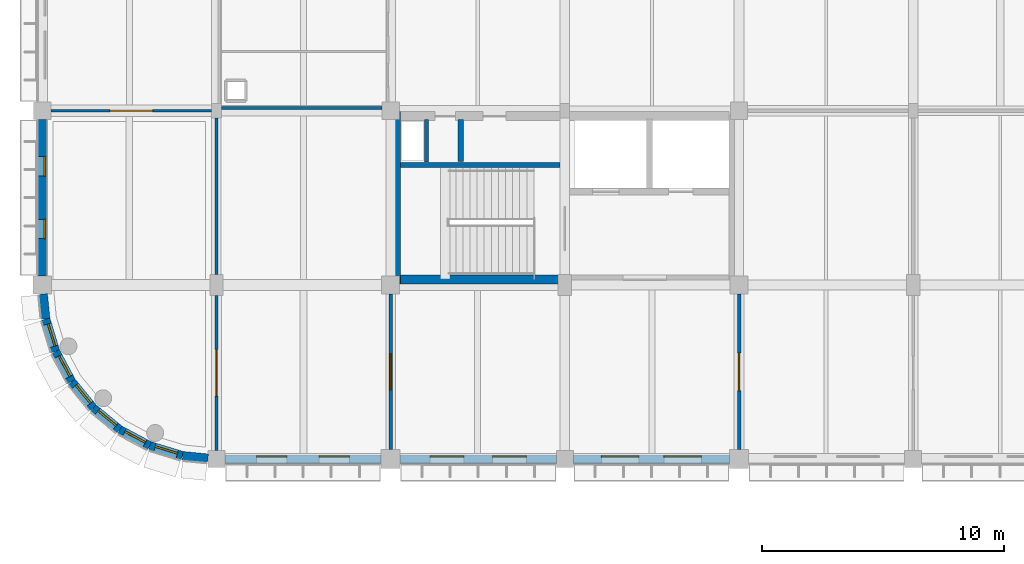
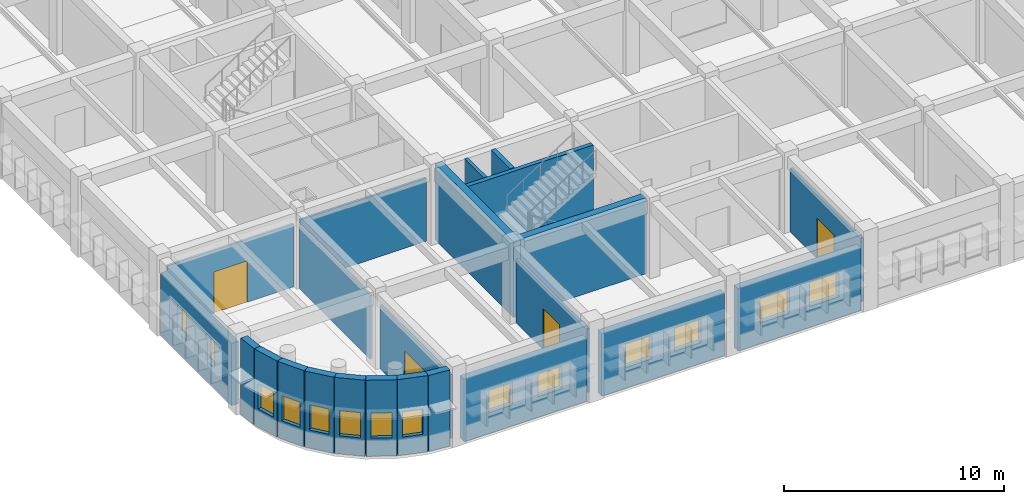
# One storey, part 34 of 61: 23 walls, 14 windows, 4 doors, 18 openings.
"""IFC4 building model written with IfcOpenShell, lengths in metres."""

from ifc_helpers import new_model, si_unit, direction, frame, frame_2d, origin, place, context, subcontext, project, spatial, rectangle, extrude, material, layer, layer_set, type_object, element, fill, save


model = new_model("IFC4")

# Units and contexts
model_context = context("Model", 3, precision=1e-05, world=origin(), true_north=direction((0.0, 1.0)))
body_context = subcontext(model_context, "Body", "Model", "MODEL_VIEW")
ifc_project = project(units=[si_unit("LENGTHUNIT", "METRE"), si_unit("AREAUNIT", "SQUARE_METRE"), si_unit("VOLUMEUNIT", "CUBIC_METRE"), si_unit("PLANEANGLEUNIT", "RADIAN"), si_unit("MASSUNIT", "GRAM", prefix="KILO")], contexts=[model_context])

# Site, building, storey
site_placement = place(None, origin())
site = spatial("IfcSite", under=ifc_project, at=site_placement, CompositionType="ELEMENT")
building_placement = place(site_placement, origin())
building = spatial("IfcBuilding", under=site, at=building_placement, Name="Thalmaran Polytechnic", CompositionType="ELEMENT")
storey_placement = place(building_placement, frame((0.0, 0.0, 9.89990234375)))
storey = spatial("IfcBuildingStorey", under=building, at=storey_placement, Name="L02", CompositionType="ELEMENT", Elevation=9.89990234375)

# Wall
ifc_material_1 = material(Name="Precast concrete C40/50", Category="concrete")
ifc_layer_1 = layer(ifc_material_1, 0.360107421875, Name="Precast concrete C40/50")
ifc_layer_set_1 = layer_set([ifc_layer_1], Name="Precast concrete C40/50")
wall_type_1 = type_object("IfcWallType", Name="WL-EW01", PredefinedType="STANDARD", material=ifc_layer_set_1)
wall_1_placement = place(storey_placement, frame((0.138427734375, 5.79541015625, 0.0), z_axis=(0.0, 0.0, 1.0), x_axis=(-0.097987704654, 0.995187625394, 0.0)))
element("IfcWall", 1, at=wall_1_placement, inside=storey, type_object=wall_type_1, Name="Exterior Precast Facade Wall L02-001", PredefinedType="STANDARD", context=body_context, shape_type="SweptSolid", body=[
    extrude(rectangle(XDim=1.036376953125, YDim=0.360107421875, at=frame_2d((0.51806640625, 0.0))), origin(), (0.0, 0.0, 1.0), 4.22509765625),
])

# Wall, openings, windows
wall_2_placement = place(storey_placement, frame((0.0, 7.574951171875, 0.0), z_axis=(0.0, 0.0, 1.0), x_axis=(0.0, 1.0, 0.0)))
wall_2 = element("IfcWall", 2, at=wall_2_placement, inside=storey, type_object=wall_type_1, Name="Exterior Precast Facade Wall L02-002", PredefinedType="STANDARD", context=body_context, shape_type="SweptSolid", body=[
    extrude(rectangle(XDim=6.465087890625, YDim=0.360107421875, at=frame_2d((3.232421875, 0.0))), origin(), (0.0, 0.0, 1.0), 3.47021484375),
])
opening_1_placement = place(wall_2_placement, frame((1.53955078125, 0.0, 1.14990234375)))
opening_1 = element("IfcOpeningElement", 3, at=opening_1_placement, cuts=wall_2, Name="Opening PW16", PredefinedType="OPENING", context=body_context, shape_type="SweptSolid", body=[
    extrude(rectangle(XDim=0.800048828125, YDim=1.5, at=frame_2d((0.39990234375, 0.75))), frame((0.0, 0.18994140625, 0.0), z_axis=(0.0, -1.0, 0.0), x_axis=(1.0, 0.0, 0.0)), (0.0, 0.0, 1.0), 0.380126953125),
])
opening_2_placement = place(wall_2_placement, frame((4.12548828125, 0.0, 1.14990234375)))
opening_2 = element("IfcOpeningElement", 4, at=opening_2_placement, cuts=wall_2, Name="Opening PW16", PredefinedType="OPENING", context=body_context, shape_type="SweptSolid", body=[
    extrude(rectangle(XDim=0.800048828125, YDim=1.5, at=frame_2d((0.39990234375, 0.75))), frame((0.0, 0.18994140625, 0.0), z_axis=(0.0, -1.0, 0.0), x_axis=(1.0, 0.0, 0.0)), (0.0, 0.0, 1.0), 0.380126953125),
])
ifc_material_2 = material(Name="Thermally broken aluminium and double low-E glass", Category="aluminium")
window_type_1 = type_object("IfcWindowType", Name="WN-PW06", PartitioningType="SINGLE_PANEL", PredefinedType="WINDOW", material=ifc_material_2)
window_1_placement = place(opening_1_placement, origin())
window_1 = element("IfcWindow", 5, at=window_1_placement, inside=storey, type_object=window_type_1, Name="Deep-Set Solar-Screened Window W-0187", OverallHeight=1.5, OverallWidth=0.800048828125, PartitioningType="SINGLE_PANEL", PredefinedType="WINDOW", context=body_context, shape_type="SweptSolid", body=[
    extrude(rectangle(XDim=0.800048828125, YDim=1.5, at=frame_2d((0.39990234375, 0.75))), frame((0.0, -0.080078125, 0.0), z_axis=(0.0, -1.0, 0.0), x_axis=(1.0, 0.0, 0.0)), (0.0, 0.0, 1.0), 0.06005859375),
])
fill(opening_1, window_1)
window_2_placement = place(opening_2_placement, origin())
window_2 = element("IfcWindow", 6, at=window_2_placement, inside=storey, type_object=window_type_1, Name="Deep-Set Solar-Screened Window W-0188", OverallHeight=1.5, OverallWidth=0.800048828125, PartitioningType="SINGLE_PANEL", PredefinedType="WINDOW", context=body_context, shape_type="SweptSolid", body=[
    extrude(rectangle(XDim=0.800048828125, YDim=1.5, at=frame_2d((0.39990234375, 0.75))), frame((0.0, -0.080078125, 0.0), z_axis=(0.0, -1.0, 0.0), x_axis=(1.0, 0.0, 0.0)), (0.0, 0.0, 1.0), 0.06005859375),
])
fill(opening_2, window_2)

wall_3_placement = place(storey_placement, frame((28.409912109375, 0.0, 0.0), z_axis=(0.0, 0.0, 1.0), x_axis=(-1.0, 0.0, 0.0)))
wall_3 = element("IfcWall", 7, at=wall_3_placement, inside=storey, type_object=wall_type_1, Name="Exterior Precast Facade Wall L02-089", PredefinedType="STANDARD", context=body_context, shape_type="SweptSolid", body=[
    extrude(rectangle(XDim=6.4599609375, YDim=0.360107421875, at=frame_2d((3.22998046875, 0.0))), origin(), (0.0, 0.0, 1.0), 3.47021484375),
])
opening_3_placement = place(wall_3_placement, frame((1.1630859375, 0.0, 1.14990234375)))
opening_3 = element("IfcOpeningElement", 8, at=opening_3_placement, cuts=wall_3, Name="Opening VW09", PredefinedType="OPENING", context=body_context, shape_type="SweptSolid", body=[
    extrude(rectangle(XDim=1.550048828125, YDim=1.35009765625, at=frame_2d((0.77490234375, 0.675048828125))), frame((0.0, 0.18994140625, 0.0), z_axis=(0.0, -1.0, 0.0), x_axis=(1.0, 0.0, 0.0)), (0.0, 0.0, 1.0), 0.380126953125),
])
opening_4_placement = place(wall_3_placement, frame((3.7470703125, 0.0, 1.14990234375)))
opening_4 = element("IfcOpeningElement", 9, at=opening_4_placement, cuts=wall_3, Name="Opening VW09", PredefinedType="OPENING", context=body_context, shape_type="SweptSolid", body=[
    extrude(rectangle(XDim=1.550048828125, YDim=1.35009765625, at=frame_2d((0.77490234375, 0.675048828125))), frame((0.0, 0.18994140625, 0.0), z_axis=(0.0, -1.0, 0.0), x_axis=(1.0, 0.0, 0.0)), (0.0, 0.0, 1.0), 0.380126953125),
])
window_type_2 = type_object("IfcWindowType", Name="WN-VZ09", PartitioningType="SINGLE_PANEL", PredefinedType="WINDOW", material=ifc_material_2)
window_3_placement = place(opening_3_placement, origin())
window_3 = element("IfcWindow", 10, at=window_3_placement, inside=storey, type_object=window_type_2, Name="Deep-Set Solar-Screened Window W-0286", OverallHeight=1.35009765625, OverallWidth=1.550048828125, PartitioningType="SINGLE_PANEL", PredefinedType="WINDOW", context=body_context, shape_type="SweptSolid", body=[
    extrude(rectangle(XDim=1.550048828125, YDim=1.35009765625, at=frame_2d((0.77490234375, 0.675048828125))), frame((0.0, -0.080078125, 0.0), z_axis=(0.0, -1.0, 0.0), x_axis=(1.0, 0.0, 0.0)), (0.0, 0.0, 1.0), 0.06005859375),
])
fill(opening_3, window_3)
window_4_placement = place(opening_4_placement, origin())
window_4 = element("IfcWindow", 11, at=window_4_placement, inside=storey, type_object=window_type_2, Name="Deep-Set Solar-Screened Window W-0287", OverallHeight=1.35009765625, OverallWidth=1.550048828125, PartitioningType="SINGLE_PANEL", PredefinedType="WINDOW", context=body_context, shape_type="SweptSolid", body=[
    extrude(rectangle(XDim=1.550048828125, YDim=1.35009765625, at=frame_2d((0.77490234375, 0.675048828125))), frame((0.0, -0.080078125, 0.0), z_axis=(0.0, -1.0, 0.0), x_axis=(1.0, 0.0, 0.0)), (0.0, 0.0, 1.0), 0.06005859375),
])
fill(opening_4, window_4)

wall_4_placement = place(storey_placement, frame((21.25, 0.0, 0.0), z_axis=(0.0, 0.0, 1.0), x_axis=(-1.0, 0.0, 0.0)))
wall_4 = element("IfcWall", 12, at=wall_4_placement, inside=storey, type_object=wall_type_1, Name="Exterior Precast Facade Wall L02-090", PredefinedType="STANDARD", context=body_context, shape_type="SweptSolid", body=[
    extrude(rectangle(XDim=6.4599609375, YDim=0.360107421875, at=frame_2d((3.22998046875, 0.0))), origin(), (0.0, 0.0, 1.0), 3.47021484375),
])
opening_5_placement = place(wall_4_placement, frame((1.238037109375, 0.0, 1.14990234375)))
opening_5 = element("IfcOpeningElement", 13, at=opening_5_placement, cuts=wall_4, Name="Opening VW10", PredefinedType="OPENING", context=body_context, shape_type="SweptSolid", body=[
    extrude(rectangle(XDim=1.39990234375, YDim=1.300048828125, at=frame_2d((0.699951171875, 0.64990234375))), frame((0.0, 0.18994140625, 0.0), z_axis=(0.0, -1.0, 0.0), x_axis=(1.0, 0.0, 0.0)), (0.0, 0.0, 1.0), 0.380126953125),
])
opening_6_placement = place(wall_4_placement, frame((3.822021484375, 0.0, 1.14990234375)))
opening_6 = element("IfcOpeningElement", 14, at=opening_6_placement, cuts=wall_4, Name="Opening VW10", PredefinedType="OPENING", context=body_context, shape_type="SweptSolid", body=[
    extrude(rectangle(XDim=1.39990234375, YDim=1.300048828125, at=frame_2d((0.699951171875, 0.64990234375))), frame((0.0, 0.18994140625, 0.0), z_axis=(0.0, -1.0, 0.0), x_axis=(1.0, 0.0, 0.0)), (0.0, 0.0, 1.0), 0.380126953125),
])
window_type_3 = type_object("IfcWindowType", Name="WN-VZ10", PartitioningType="SINGLE_PANEL", PredefinedType="WINDOW", material=ifc_material_2)
window_5_placement = place(opening_5_placement, origin())
window_5 = element("IfcWindow", 15, at=window_5_placement, inside=storey, type_object=window_type_3, Name="Deep-Set Solar-Screened Window W-0288", OverallHeight=1.300048828125, OverallWidth=1.39990234375, PartitioningType="SINGLE_PANEL", PredefinedType="WINDOW", context=body_context, shape_type="SweptSolid", body=[
    extrude(rectangle(XDim=1.39990234375, YDim=1.300048828125, at=frame_2d((0.699951171875, 0.64990234375))), frame((0.0, -0.080078125, 0.0), z_axis=(0.0, -1.0, 0.0), x_axis=(1.0, 0.0, 0.0)), (0.0, 0.0, 1.0), 0.06005859375),
])
fill(opening_5, window_5)
window_6_placement = place(opening_6_placement, origin())
window_6 = element("IfcWindow", 16, at=window_6_placement, inside=storey, type_object=window_type_3, Name="Deep-Set Solar-Screened Window W-0289", OverallHeight=1.300048828125, OverallWidth=1.39990234375, PartitioningType="SINGLE_PANEL", PredefinedType="WINDOW", context=body_context, shape_type="SweptSolid", body=[
    extrude(rectangle(XDim=1.39990234375, YDim=1.300048828125, at=frame_2d((0.699951171875, 0.64990234375))), frame((0.0, -0.080078125, 0.0), z_axis=(0.0, -1.0, 0.0), x_axis=(1.0, 0.0, 0.0)), (0.0, 0.0, 1.0), 0.06005859375),
])
fill(opening_6, window_6)

wall_5_placement = place(storey_placement, frame((14.010009765625, 0.0, 0.0), z_axis=(0.0, 0.0, 1.0), x_axis=(-1.0, 0.0, 0.0)))
wall_5 = element("IfcWall", 17, at=wall_5_placement, inside=storey, type_object=wall_type_1, Name="Exterior Precast Facade Wall L02-091", PredefinedType="STANDARD", context=body_context, shape_type="SweptSolid", body=[
    extrude(rectangle(XDim=6.4599609375, YDim=0.360107421875, at=frame_2d((3.22998046875, 0.0))), origin(), (0.0, 0.0, 1.0), 3.47021484375),
])
opening_7_placement = place(wall_5_placement, frame((1.31298828125, 0.0, 1.14990234375)))
opening_7 = element("IfcOpeningElement", 18, at=opening_7_placement, cuts=wall_5, Name="Opening VW11", PredefinedType="OPENING", context=body_context, shape_type="SweptSolid", body=[
    extrude(rectangle(XDim=1.25, YDim=1.25, at=frame_2d((0.625, 0.625))), frame((0.0, 0.18994140625, 0.0), z_axis=(0.0, -1.0, 0.0), x_axis=(1.0, 0.0, 0.0)), (0.0, 0.0, 1.0), 0.380126953125),
])
opening_8_placement = place(wall_5_placement, frame((3.89697265625, 0.0, 1.14990234375)))
opening_8 = element("IfcOpeningElement", 19, at=opening_8_placement, cuts=wall_5, Name="Opening VW11", PredefinedType="OPENING", context=body_context, shape_type="SweptSolid", body=[
    extrude(rectangle(XDim=1.25, YDim=1.25, at=frame_2d((0.625, 0.625))), frame((0.0, 0.18994140625, 0.0), z_axis=(0.0, -1.0, 0.0), x_axis=(1.0, 0.0, 0.0)), (0.0, 0.0, 1.0), 0.380126953125),
])
window_type_4 = type_object("IfcWindowType", Name="WN-VZ11", PartitioningType="SINGLE_PANEL", PredefinedType="WINDOW", material=ifc_material_2)
window_7_placement = place(opening_7_placement, origin())
window_7 = element("IfcWindow", 20, at=window_7_placement, inside=storey, type_object=window_type_4, Name="Deep-Set Solar-Screened Window W-0290", OverallHeight=1.25, OverallWidth=1.25, PartitioningType="SINGLE_PANEL", PredefinedType="WINDOW", context=body_context, shape_type="SweptSolid", body=[
    extrude(rectangle(XDim=1.25, YDim=1.25, at=frame_2d((0.625, 0.625))), frame((0.0, -0.080078125, 0.0), z_axis=(0.0, -1.0, 0.0), x_axis=(1.0, 0.0, 0.0)), (0.0, 0.0, 1.0), 0.06005859375),
])
fill(opening_7, window_7)
window_8_placement = place(opening_8_placement, origin())
window_8 = element("IfcWindow", 21, at=window_8_placement, inside=storey, type_object=window_type_4, Name="Deep-Set Solar-Screened Window W-0291", OverallHeight=1.25, OverallWidth=1.25, PartitioningType="SINGLE_PANEL", PredefinedType="WINDOW", context=body_context, shape_type="SweptSolid", body=[
    extrude(rectangle(XDim=1.25, YDim=1.25, at=frame_2d((0.625, 0.625))), frame((0.0, -0.080078125, 0.0), z_axis=(0.0, -1.0, 0.0), x_axis=(1.0, 0.0, 0.0)), (0.0, 0.0, 1.0), 0.06005859375),
])
fill(opening_8, window_8)

# Wall
wall_6_placement = place(storey_placement, frame((6.851806640625, 0.034423828125, 0.0), z_axis=(0.0, 0.0, 1.0), x_axis=(-0.995188591484, 0.097977892298, 0.0)))
element("IfcWall", 22, at=wall_6_placement, inside=storey, type_object=wall_type_1, Name="Exterior Precast Facade Wall L02-092", PredefinedType="STANDARD", context=body_context, shape_type="SweptSolid", body=[
    extrude(rectangle(XDim=1.0615234375, YDim=0.360107421875, at=frame_2d((0.53076171875, 0.0))), origin(), (0.0, 0.0, 1.0), 4.22509765625),
])

# Wall, opening, window
wall_7_placement = place(storey_placement, frame((5.79541015625, 0.138427734375, 0.0), z_axis=(0.0, 0.0, 1.0), x_axis=(-0.95696037757, 0.290218599957, 0.0)))
wall_7 = element("IfcWall", 23, at=wall_7_placement, inside=storey, type_object=wall_type_1, Name="Exterior Precast Facade Wall L02-093", PredefinedType="STANDARD", context=body_context, shape_type="SweptSolid", body=[
    extrude(rectangle(XDim=1.41162109375, YDim=0.360107421875, at=frame_2d((0.705810546875, 0.0))), origin(), (0.0, 0.0, 1.0), 4.22509765625),
])
opening_9_placement = place(wall_7_placement, frame((0.2255859375, 0.0, 1.0)))
opening_9 = element("IfcOpeningElement", 24, at=opening_9_placement, cuts=wall_7, Name="Opening CR01", PredefinedType="OPENING", context=body_context, shape_type="SweptSolid", body=[
    extrude(rectangle(XDim=0.9599609375, YDim=1.39990234375, at=frame_2d((0.47998046875, 0.699951171875))), frame((0.0, 0.18994140625, 0.0), z_axis=(0.0, -1.0, 0.0), x_axis=(1.0, 0.0, 0.0)), (0.0, 0.0, 1.0), 0.380126953125),
])
window_type_5 = type_object("IfcWindowType", Name="WN-CR01", PartitioningType="SINGLE_PANEL", PredefinedType="WINDOW", material=ifc_material_2)
window_9_placement = place(opening_9_placement, origin())
window_9 = element("IfcWindow", 25, at=window_9_placement, inside=storey, type_object=window_type_5, Name="Curved Prow Ribbon Window W-0292", OverallHeight=1.39990234375, OverallWidth=0.9599609375, PartitioningType="SINGLE_PANEL", PredefinedType="WINDOW", context=body_context, shape_type="SweptSolid", body=[
    extrude(rectangle(XDim=0.9599609375, YDim=1.39990234375, at=frame_2d((0.47998046875, 0.699951171875))), frame((0.0, -0.010009765625, 0.0), z_axis=(0.0, -1.0, 0.0), x_axis=(1.0, 0.0, 0.0)), (0.0, 0.0, 1.0), 0.06005859375),
])
fill(opening_9, window_9)

wall_8_placement = place(storey_placement, frame((4.444580078125, 0.548095703125, 0.0), z_axis=(0.0, 0.0, 1.0), x_axis=(-0.881916788861, 0.471405109778, 0.0)))
wall_8 = element("IfcWall", 26, at=wall_8_placement, inside=storey, type_object=wall_type_1, Name="Exterior Precast Facade Wall L02-094", PredefinedType="STANDARD", context=body_context, shape_type="SweptSolid", body=[
    extrude(rectangle(XDim=1.411376953125, YDim=0.360107421875, at=frame_2d((0.70556640625, 0.0))), origin(), (0.0, 0.0, 1.0), 4.22509765625),
])
opening_10_placement = place(wall_8_placement, frame((0.2255859375, 0.0, 1.0)))
opening_10 = element("IfcOpeningElement", 27, at=opening_10_placement, cuts=wall_8, Name="Opening CR01", PredefinedType="OPENING", context=body_context, shape_type="SweptSolid", body=[
    extrude(rectangle(XDim=0.9599609375, YDim=1.39990234375, at=frame_2d((0.47998046875, 0.699951171875))), frame((0.0, 0.18994140625, 0.0), z_axis=(0.0, -1.0, 0.0), x_axis=(1.0, 0.0, 0.0)), (0.0, 0.0, 1.0), 0.380126953125),
])
window_10_placement = place(opening_10_placement, origin())
window_10 = element("IfcWindow", 28, at=window_10_placement, inside=storey, type_object=window_type_5, Name="Curved Prow Ribbon Window W-0293", OverallHeight=1.39990234375, OverallWidth=0.9599609375, PartitioningType="SINGLE_PANEL", PredefinedType="WINDOW", context=body_context, shape_type="SweptSolid", body=[
    extrude(rectangle(XDim=0.9599609375, YDim=1.39990234375, at=frame_2d((0.47998046875, 0.699951171875))), frame((0.0, -0.010009765625, 0.0), z_axis=(0.0, -1.0, 0.0), x_axis=(1.0, 0.0, 0.0)), (0.0, 0.0, 1.0), 0.06005859375),
])
fill(opening_10, window_10)

wall_9_placement = place(storey_placement, frame((3.199951171875, 1.21337890625, 0.0), z_axis=(0.0, 0.0, 1.0), x_axis=(-0.772977670605, 0.634433227965, 0.0)))
wall_9 = element("IfcWall", 29, at=wall_9_placement, inside=storey, type_object=wall_type_1, Name="Exterior Precast Facade Wall L02-095", PredefinedType="STANDARD", context=body_context, shape_type="SweptSolid", body=[
    extrude(rectangle(XDim=1.41162109375, YDim=0.360107421875, at=frame_2d((0.705810546875, 0.0))), origin(), (0.0, 0.0, 1.0), 4.22509765625),
])
opening_11_placement = place(wall_9_placement, frame((0.2255859375, 0.0, 1.0)))
opening_11 = element("IfcOpeningElement", 30, at=opening_11_placement, cuts=wall_9, Name="Opening CR01", PredefinedType="OPENING", context=body_context, shape_type="SweptSolid", body=[
    extrude(rectangle(XDim=0.9599609375, YDim=1.39990234375, at=frame_2d((0.47998046875, 0.699951171875))), frame((0.0, 0.18994140625, 0.0), z_axis=(0.0, -1.0, 0.0), x_axis=(1.0, 0.0, 0.0)), (0.0, 0.0, 1.0), 0.380126953125),
])
window_11_placement = place(opening_11_placement, origin())
window_11 = element("IfcWindow", 31, at=window_11_placement, inside=storey, type_object=window_type_5, Name="Curved Prow Ribbon Window W-0294", OverallHeight=1.39990234375, OverallWidth=0.9599609375, PartitioningType="SINGLE_PANEL", PredefinedType="WINDOW", context=body_context, shape_type="SweptSolid", body=[
    extrude(rectangle(XDim=0.9599609375, YDim=1.39990234375, at=frame_2d((0.47998046875, 0.699951171875))), frame((0.0, -0.010009765625, 0.0), z_axis=(0.0, -1.0, 0.0), x_axis=(1.0, 0.0, 0.0)), (0.0, 0.0, 1.0), 0.06005859375),
])
fill(opening_11, window_11)

wall_10_placement = place(storey_placement, frame((2.10888671875, 2.10888671875, 0.0), z_axis=(0.0, 0.0, 1.0), x_axis=(-0.634433227965, 0.772977670605, 0.0)))
wall_10 = element("IfcWall", 32, at=wall_10_placement, inside=storey, type_object=wall_type_1, Name="Exterior Precast Facade Wall L02-096", PredefinedType="STANDARD", context=body_context, shape_type="SweptSolid", body=[
    extrude(rectangle(XDim=1.41162109375, YDim=0.360107421875, at=frame_2d((0.705810546875, 0.0))), origin(), (0.0, 0.0, 1.0), 4.22509765625),
])
opening_12_placement = place(wall_10_placement, frame((0.2255859375, 0.0, 1.0)))
opening_12 = element("IfcOpeningElement", 33, at=opening_12_placement, cuts=wall_10, Name="Opening CR01", PredefinedType="OPENING", context=body_context, shape_type="SweptSolid", body=[
    extrude(rectangle(XDim=0.9599609375, YDim=1.39990234375, at=frame_2d((0.47998046875, 0.699951171875))), frame((0.0, 0.18994140625, 0.0), z_axis=(0.0, -1.0, 0.0), x_axis=(1.0, 0.0, 0.0)), (0.0, 0.0, 1.0), 0.380126953125),
])
window_12_placement = place(opening_12_placement, origin())
window_12 = element("IfcWindow", 34, at=window_12_placement, inside=storey, type_object=window_type_5, Name="Curved Prow Ribbon Window W-0295", OverallHeight=1.39990234375, OverallWidth=0.9599609375, PartitioningType="SINGLE_PANEL", PredefinedType="WINDOW", context=body_context, shape_type="SweptSolid", body=[
    extrude(rectangle(XDim=0.9599609375, YDim=1.39990234375, at=frame_2d((0.47998046875, 0.699951171875))), frame((0.0, -0.010009765625, 0.0), z_axis=(0.0, -1.0, 0.0), x_axis=(1.0, 0.0, 0.0)), (0.0, 0.0, 1.0), 0.06005859375),
])
fill(opening_12, window_12)

wall_11_placement = place(storey_placement, frame((1.21337890625, 3.199951171875, 0.0), z_axis=(0.0, 0.0, 1.0), x_axis=(-0.471405109778, 0.881916788861, 0.0)))
wall_11 = element("IfcWall", 35, at=wall_11_placement, inside=storey, type_object=wall_type_1, Name="Exterior Precast Facade Wall L02-097", PredefinedType="STANDARD", context=body_context, shape_type="SweptSolid", body=[
    extrude(rectangle(XDim=1.411376953125, YDim=0.360107421875, at=frame_2d((0.70556640625, 0.0))), origin(), (0.0, 0.0, 1.0), 4.22509765625),
])
opening_13_placement = place(wall_11_placement, frame((0.2255859375, 0.0, 1.0)))
opening_13 = element("IfcOpeningElement", 36, at=opening_13_placement, cuts=wall_11, Name="Opening CR01", PredefinedType="OPENING", context=body_context, shape_type="SweptSolid", body=[
    extrude(rectangle(XDim=0.9599609375, YDim=1.39990234375, at=frame_2d((0.47998046875, 0.699951171875))), frame((0.0, 0.18994140625, 0.0), z_axis=(0.0, -1.0, 0.0), x_axis=(1.0, 0.0, 0.0)), (0.0, 0.0, 1.0), 0.380126953125),
])
window_13_placement = place(opening_13_placement, origin())
window_13 = element("IfcWindow", 37, at=window_13_placement, inside=storey, type_object=window_type_5, Name="Curved Prow Ribbon Window W-0296", OverallHeight=1.39990234375, OverallWidth=0.9599609375, PartitioningType="SINGLE_PANEL", PredefinedType="WINDOW", context=body_context, shape_type="SweptSolid", body=[
    extrude(rectangle(XDim=0.9599609375, YDim=1.39990234375, at=frame_2d((0.47998046875, 0.699951171875))), frame((0.0, -0.010009765625, 0.0), z_axis=(0.0, -1.0, 0.0), x_axis=(1.0, 0.0, 0.0)), (0.0, 0.0, 1.0), 0.06005859375),
])
fill(opening_13, window_13)

wall_12_placement = place(storey_placement, frame((0.548095703125, 4.444580078125, 0.0), z_axis=(0.0, 0.0, 1.0), x_axis=(-0.290218599957, 0.95696037757, 0.0)))
wall_12 = element("IfcWall", 38, at=wall_12_placement, inside=storey, type_object=wall_type_1, Name="Exterior Precast Facade Wall L02-098", PredefinedType="STANDARD", context=body_context, shape_type="SweptSolid", body=[
    extrude(rectangle(XDim=1.41162109375, YDim=0.360107421875, at=frame_2d((0.705810546875, 0.0))), origin(), (0.0, 0.0, 1.0), 4.22509765625),
])
opening_14_placement = place(wall_12_placement, frame((0.2255859375, 0.0, 1.0)))
opening_14 = element("IfcOpeningElement", 39, at=opening_14_placement, cuts=wall_12, Name="Opening CR01", PredefinedType="OPENING", context=body_context, shape_type="SweptSolid", body=[
    extrude(rectangle(XDim=0.9599609375, YDim=1.39990234375, at=frame_2d((0.47998046875, 0.699951171875))), frame((0.0, 0.18994140625, 0.0), z_axis=(0.0, -1.0, 0.0), x_axis=(1.0, 0.0, 0.0)), (0.0, 0.0, 1.0), 0.380126953125),
])
window_14_placement = place(opening_14_placement, origin())
window_14 = element("IfcWindow", 40, at=window_14_placement, inside=storey, type_object=window_type_5, Name="Curved Prow Ribbon Window W-0297", OverallHeight=1.39990234375, OverallWidth=0.9599609375, PartitioningType="SINGLE_PANEL", PredefinedType="WINDOW", context=body_context, shape_type="SweptSolid", body=[
    extrude(rectangle(XDim=0.9599609375, YDim=1.39990234375, at=frame_2d((0.47998046875, 0.699951171875))), frame((0.0, -0.010009765625, 0.0), z_axis=(0.0, -1.0, 0.0), x_axis=(1.0, 0.0, 0.0)), (0.0, 0.0, 1.0), 0.06005859375),
])
fill(opening_14, window_14)

# Walls
ifc_material_3 = material(Name="Autoclaved aerated masonry", Category="masonry")
ifc_layer_2 = layer(ifc_material_3, 0.22998046875, Name="Autoclaved aerated masonry")
ifc_layer_set_2 = layer_set([ifc_layer_2], Name="Autoclaved aerated masonry")
wall_type_2 = type_object("IfcWallType", Name="WL-IW02", PredefinedType="PARTITIONING", material=ifc_layer_set_2)
wall_13_placement = place(storey_placement, frame((17.300048828125, 12.300048828125, 0.0), z_axis=(0.0, 0.0, 1.0), x_axis=(0.0, 1.0, 0.0)))
element("IfcWall", 41, at=wall_13_placement, inside=storey, type_object=wall_type_2, Name="Core C1 Riser Partition L02", PredefinedType="PARTITIONING", context=body_context, shape_type="SweptSolid", body=[
    extrude(rectangle(XDim=1.739990234375, YDim=0.22998046875, at=frame_2d((0.8701171875, 0.0))), origin(), (0.0, 0.0, 1.0), 4.22509765625),
])
ifc_layer_3 = layer(ifc_material_3, 0.179931640625, Name="Autoclaved aerated masonry")
ifc_layer_set_3 = layer_set([ifc_layer_3], Name="Autoclaved aerated masonry")
wall_type_3 = type_object("IfcWallType", Name="WL-IW04", PredefinedType="PARTITIONING", material=ifc_layer_set_3)
wall_14_placement = place(storey_placement, frame((15.8798828125, 12.280029296875, 0.0), z_axis=(0.0, 0.0, 1.0), x_axis=(0.0, 1.0, 0.0)))
element("IfcWall", 42, at=wall_14_placement, inside=storey, type_object=wall_type_3, Name="Core C1 Riser Shaft Enclosure Wall L02", PredefinedType="PARTITIONING", context=body_context, shape_type="SweptSolid", body=[
    extrude(rectangle(XDim=1.760009765625, YDim=0.179931640625, at=frame_2d((0.8798828125, 0.0))), origin(), (0.0, 0.0, 1.0), 4.22509765625),
])

# Wall, opening, door
ifc_material_4 = material(Name="Gypsum acoustic partition")
ifc_layer_4 = layer(ifc_material_4, 0.14501953125, Name="Gypsum acoustic partition")
ifc_layer_set_4 = layer_set([ifc_layer_4], Name="Gypsum acoustic partition")
wall_type_4 = type_object("IfcWallType", Name="WL-IW06", PredefinedType="PARTITIONING", material=ifc_layer_set_4)
wall_15_placement = place(storey_placement, frame((14.39990234375, 0.39501953125, 0.0), z_axis=(0.0, 0.0, 1.0), x_axis=(0.0, 1.0, 0.0)))
wall_15 = element("IfcWall", 43, at=wall_15_placement, inside=storey, type_object=wall_type_4, Name="Interior Partition IW06 L02-017", PredefinedType="PARTITIONING", context=body_context, shape_type="SweptSolid", body=[
    extrude(rectangle(XDim=6.425048828125, YDim=0.14501953125, at=frame_2d((3.21240234375, 0.0))), origin(), (0.0, 0.0, 1.0), 3.5400390625),
])
opening_15_placement = place(wall_15_placement, frame((2.472412109375, 0.0, 0.0)))
opening_15 = element("IfcOpeningElement", 44, at=opening_15_placement, cuts=wall_15, Name="Opening D-L02-004-1-07-1", PredefinedType="OPENING", context=body_context, shape_type="SweptSolid", body=[
    extrude(rectangle(XDim=1.47998046875, YDim=2.280029296875, at=frame_2d((0.739990234375, 1.14013671875))), frame((0.0, 0.08251953125, 0.0), z_axis=(0.0, -1.0, 0.0), x_axis=(1.0, 0.0, 0.0)), (0.0, 0.0, 1.0), 0.1650390625),
])
ifc_material_5 = material(Name="Powder-coated fire-rated steel", Category="steel")
door_type_1 = type_object("IfcDoorType", Name="DR-ZD09", OperationType="NOTDEFINED", PredefinedType="DOOR", material=ifc_material_5)
door_1_placement = place(opening_15_placement, origin())
door_1 = element("IfcDoor", 45, at=door_1_placement, inside=storey, type_object=door_type_1, Name="Fluid Mechanics Laboratory L02-07 Door 1", OperationType="SINGLE_SWING_LEFT", OverallHeight=2.280029296875, OverallWidth=1.47998046875, PredefinedType="DOOR", context=body_context, shape_type="SweptSolid", body=[
    extrude(rectangle(XDim=1.47998046875, YDim=2.280029296875, at=frame_2d((0.739990234375, 1.14013671875))), frame((0.0, 0.02490234375, 0.0), z_axis=(0.0, -1.0, 0.0), x_axis=(1.0, 0.0, 0.0)), (0.0, 0.0, 1.0), 0.050048828125),
])
fill(opening_15, door_1)

wall_16_placement = place(storey_placement, frame((28.800048828125, 0.39501953125, 0.0), z_axis=(0.0, 0.0, 1.0), x_axis=(0.0, 1.0, 0.0)))
wall_16 = element("IfcWall", 46, at=wall_16_placement, inside=storey, type_object=wall_type_4, Name="Interior Partition IW06 L02-038", PredefinedType="PARTITIONING", context=body_context, shape_type="SweptSolid", body=[
    extrude(rectangle(XDim=6.425048828125, YDim=0.14501953125, at=frame_2d((3.21240234375, 0.0))), origin(), (0.0, 0.0, 1.0), 3.5400390625),
])
opening_16_placement = place(wall_16_placement, frame((2.4326171875, 0.0, 0.0)))
opening_16 = element("IfcOpeningElement", 47, at=opening_16_placement, cuts=wall_16, Name="Opening D-L02-010-1-13-1", PredefinedType="OPENING", context=body_context, shape_type="SweptSolid", body=[
    extrude(rectangle(XDim=1.56005859375, YDim=2.25, at=frame_2d((0.780029296875, 1.125))), frame((0.0, 0.08251953125, 0.0), z_axis=(0.0, -1.0, 0.0), x_axis=(1.0, 0.0, 0.0)), (0.0, 0.0, 1.0), 0.1650390625),
])
ifc_material_6 = material(Name="Acoustic hardwood and vision glass", Category="wood")
door_type_2 = type_object("IfcDoorType", Name="DR-ZD03", OperationType="NOTDEFINED", PredefinedType="DOOR", material=ifc_material_6)
door_2_placement = place(opening_16_placement, origin())
door_2 = element("IfcDoor", 48, at=door_2_placement, inside=storey, type_object=door_type_2, Name="Structural Models Design Studio L02-13 Door 1", OperationType="SINGLE_SWING_LEFT", OverallHeight=2.25, OverallWidth=1.56005859375, PredefinedType="DOOR", context=body_context, shape_type="SweptSolid", body=[
    extrude(rectangle(XDim=1.56005859375, YDim=2.25, at=frame_2d((0.780029296875, 1.125))), frame((0.0, 0.02490234375, 0.0), z_axis=(0.0, -1.0, 0.0), x_axis=(1.0, 0.0, 0.0)), (0.0, 0.0, 1.0), 0.050048828125),
])
fill(opening_16, door_2)

# Walls
ifc_layer_5 = layer(ifc_material_4, 0.1298828125, Name="Gypsum acoustic partition")
ifc_layer_set_5 = layer_set([ifc_layer_5], Name="Gypsum acoustic partition")
wall_type_5 = type_object("IfcWallType", Name="WL-IW07", PredefinedType="PARTITIONING", material=ifc_layer_set_5)
wall_17_placement = place(storey_placement, frame((7.199951171875, 7.6298828125, 0.0), z_axis=(0.0, 0.0, 1.0), x_axis=(0.0, 1.0, 0.0)))
element("IfcWall", 49, at=wall_17_placement, inside=storey, type_object=wall_type_5, Name="Interior Partition IW07 L02-002", PredefinedType="PARTITIONING", context=body_context, shape_type="SweptSolid", body=[
    extrude(rectangle(XDim=6.465087890625, YDim=0.1298828125, at=frame_2d((3.232421875, 0.0))), origin(), (0.0, 0.0, 1.0), 3.53515625),
])
ifc_layer_6 = layer(ifc_material_4, 0.114990234375, Name="Gypsum acoustic partition")
ifc_layer_set_6 = layer_set([ifc_layer_6], Name="Gypsum acoustic partition")
wall_type_6 = type_object("IfcWallType", Name="WL-IW08", PredefinedType="PARTITIONING", material=ifc_layer_set_6)
wall_18_placement = place(storey_placement, frame((7.405029296875, 14.52001953125, 0.0), z_axis=(0.0, 0.0, 1.0), x_axis=(1.0, 0.0, 0.0)))
element("IfcWall", 50, at=wall_18_placement, inside=storey, type_object=wall_type_6, Name="Sanitary Core Wall L02-W1-S", PredefinedType="PARTITIONING", context=body_context, shape_type="SweptSolid", body=[
    extrude(rectangle(XDim=6.6298828125, YDim=0.114990234375, at=frame_2d((3.31494140625, 0.0))), origin(), (0.0, 0.0, 1.0), 3.5),
])

# Wall, opening, door
wall_19_placement = place(storey_placement, frame((7.199951171875, 0.35498046875, 0.0), z_axis=(0.0, 0.0, 1.0), x_axis=(0.0, 1.0, 0.0)))
wall_19 = element("IfcWall", 51, at=wall_19_placement, inside=storey, type_object=wall_type_6, Name="Interior Partition IW08 L02-001", PredefinedType="PARTITIONING", context=body_context, shape_type="SweptSolid", body=[
    extrude(rectangle(XDim=6.4150390625, YDim=0.114990234375, at=frame_2d((3.20751953125, 0.0))), origin(), (0.0, 0.0, 1.0), 3.5400390625),
])
opening_17_placement = place(wall_19_placement, frame((2.24755859375, 0.0, 0.0)))
opening_17 = element("IfcOpeningElement", 52, at=opening_17_placement, cuts=wall_19, Name="Opening D-L02-053-1-01-1", PredefinedType="OPENING", context=body_context, shape_type="SweptSolid", body=[
    extrude(rectangle(XDim=1.919921875, YDim=2.35009765625, at=frame_2d((0.9599609375, 1.175048828125))), frame((0.0, 0.0673828125, 0.0), z_axis=(0.0, -1.0, 0.0), x_axis=(1.0, 0.0, 0.0)), (0.0, 0.0, 1.0), 0.135009765625),
])
door_type_3 = type_object("IfcDoorType", Name="DR-ZD01", OperationType="NOTDEFINED", PredefinedType="DOOR", material=ifc_material_6)
door_3_placement = place(opening_17_placement, origin())
door_3 = element("IfcDoor", 53, at=door_3_placement, inside=storey, type_object=door_type_3, Name="Industrial Design Studio L02-01 Door 1", OperationType="SINGLE_SWING_RIGHT", OverallHeight=2.35009765625, OverallWidth=1.919921875, PredefinedType="DOOR", context=body_context, shape_type="SweptSolid", body=[
    extrude(rectangle(XDim=1.919921875, YDim=2.35009765625, at=frame_2d((0.9599609375, 1.175048828125))), frame((0.0, 0.02490234375, 0.0), z_axis=(0.0, -1.0, 0.0), x_axis=(1.0, 0.0, 0.0)), (0.0, 0.0, 1.0), 0.050048828125),
])
fill(opening_17, door_3)

wall_20_placement = place(storey_placement, frame((0.364990234375, 14.39990234375, 0.0), z_axis=(0.0, 0.0, 1.0), x_axis=(1.0, 0.0, 0.0)))
wall_20 = element("IfcWall", 54, at=wall_20_placement, inside=storey, type_object=wall_type_6, Name="Interior Partition IW08 L02-003", PredefinedType="PARTITIONING", context=body_context, shape_type="SweptSolid", body=[
    extrude(rectangle(XDim=6.630126953125, YDim=0.114990234375, at=frame_2d((3.31494140625, 0.0))), origin(), (0.0, 0.0, 1.0), 3.485107421875),
])
opening_18_placement = place(wall_20_placement, frame((2.43505859375, 0.0, 0.0)))
opening_18 = element("IfcOpeningElement", 55, at=opening_18_placement, cuts=wall_20, Name="Opening D-L02-054-1-02-1", PredefinedType="OPENING", context=body_context, shape_type="SweptSolid", body=[
    extrude(rectangle(XDim=1.760009765625, YDim=2.300048828125, at=frame_2d((0.8798828125, 1.14990234375))), frame((0.0, 0.0673828125, 0.0), z_axis=(0.0, -1.0, 0.0), x_axis=(1.0, 0.0, 0.0)), (0.0, 0.0, 1.0), 0.135009765625),
])
door_type_4 = type_object("IfcDoorType", Name="DR-ZD02", OperationType="NOTDEFINED", PredefinedType="DOOR", material=ifc_material_6)
door_4_placement = place(opening_18_placement, origin())
door_4 = element("IfcDoor", 56, at=door_4_placement, inside=storey, type_object=door_type_4, Name="Seminar Room L02-02 Door 1", OperationType="SINGLE_SWING_LEFT", OverallHeight=2.300048828125, OverallWidth=1.760009765625, PredefinedType="DOOR", context=body_context, shape_type="SweptSolid", body=[
    extrude(rectangle(XDim=1.760009765625, YDim=2.300048828125, at=frame_2d((0.8798828125, 1.14990234375))), frame((0.0, 0.02490234375, 0.0), z_axis=(0.0, -1.0, 0.0), x_axis=(1.0, 0.0, 0.0)), (0.0, 0.0, 1.0), 0.050048828125),
])
fill(opening_18, door_4)

# Walls
ifc_material_7 = material(Name="Concrete C50/60", Category="concrete")
ifc_layer_7 = layer(ifc_material_7, 0.3798828125, Name="Concrete C50/60")
ifc_layer_set_7 = layer_set([ifc_layer_7], Name="Concrete C50/60")
wall_type_7 = type_object("IfcWallType", Name="WL-SW02", PredefinedType="SHEAR", material=ifc_layer_set_7)
wall_21_placement = place(storey_placement, frame((14.81005859375, 7.419921875, 0.0), z_axis=(0.0, 0.0, 1.0), x_axis=(1.0, 0.0, 0.0)))
element("IfcWall", 57, at=wall_21_placement, inside=storey, type_object=wall_type_7, Name="Core C1 South Shear Wall L02", PredefinedType="SHEAR", context=body_context, shape_type="SweptSolid", body=[
    extrude(rectangle(XDim=6.599853515625, YDim=0.3798828125, at=frame_2d((3.2998046875, 0.0))), origin(), (0.0, 0.0, 1.0), 4.22509765625),
])
wall_22_placement = place(storey_placement, frame((14.6201171875, 14.3701171875, 0.0), z_axis=(0.0, 0.0, 1.0), x_axis=(0.0, -1.0, 0.0)))
element("IfcWall", 58, at=wall_22_placement, inside=storey, type_object=wall_type_7, Name="Core C1 West Shear Wall L02", PredefinedType="SHEAR", context=body_context, shape_type="SweptSolid", body=[
    extrude(rectangle(XDim=7.14013671875, YDim=0.3798828125, at=frame_2d((3.570068359375, 0.0))), origin(), (0.0, 0.0, 1.0), 4.22509765625),
])
wall_23_placement = place(storey_placement, frame((14.81005859375, 12.159912109375, 0.0), z_axis=(0.0, 0.0, 1.0), x_axis=(1.0, 0.0, 0.0)))
element("IfcWall", 59, at=wall_23_placement, inside=storey, type_object=wall_type_7, Name="Core C1 Stair Partition L02", PredefinedType="SHEAR", context=body_context, shape_type="SweptSolid", body=[
    extrude(rectangle(XDim=6.599853515625, YDim=0.219970703125, at=frame_2d((3.2998046875, 0.0))), origin(), (0.0, 0.0, 1.0), 4.22509765625),
])

save(model, "model.ifc")
